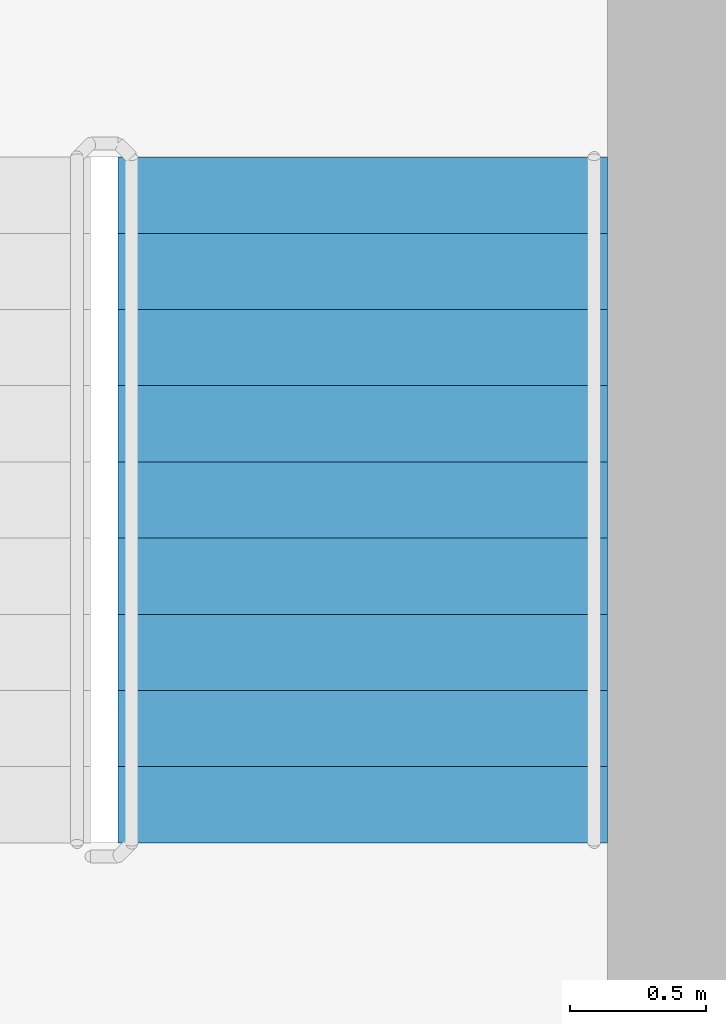
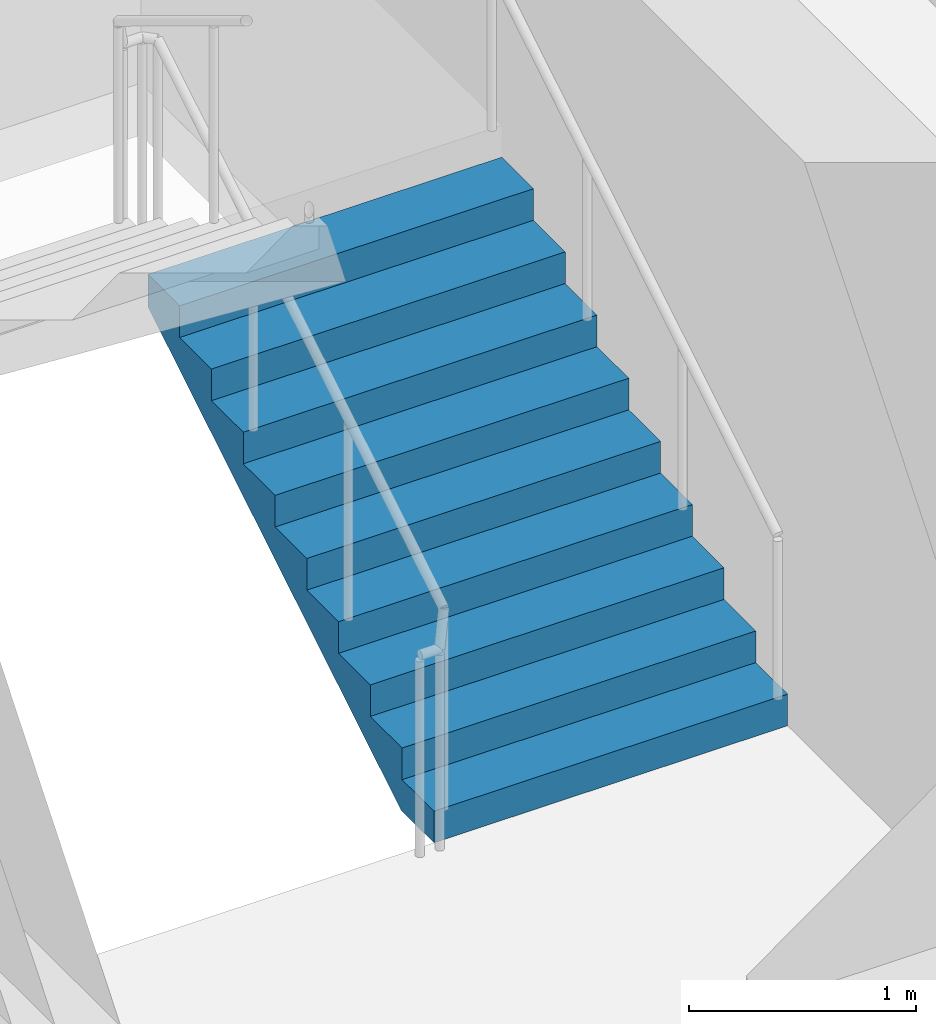
# One storey, part 11 of 17: 1 stair flight, 1 element without a shape of its own.
"""IFC4 building model written with IfcOpenShell, lengths in metres."""

from ifc_helpers import new_model, si_unit, direction, frame, origin, place, context, subcontext, project, spatial, triangles, source, transform, mapped, material, type_object, element, aggregate, save


model = new_model("IFC4")

# Units and contexts
model_context = context("Model", 3, precision=1e-05, world=origin(), true_north=direction((0.0, 1.0)))
body_context = subcontext(model_context, "Body", "Model", "MODEL_VIEW")
ifc_project = project(units=[si_unit("LENGTHUNIT", "METRE"), si_unit("AREAUNIT", "SQUARE_METRE"), si_unit("VOLUMEUNIT", "CUBIC_METRE"), si_unit("PLANEANGLEUNIT", "RADIAN"), si_unit("MASSUNIT", "GRAM", prefix="KILO")], contexts=[model_context])

# Site, building, storey
site_placement = place(None, origin())
site = spatial("IfcSite", under=ifc_project, at=site_placement, CompositionType="ELEMENT")
building_placement = place(site_placement, origin())
building = spatial("IfcBuilding", under=site, at=building_placement, Name="Kilnfold Tower and Market Hall", CompositionType="ELEMENT")
storey_placement = place(building_placement, frame((0.0, 0.0, 273.800048828125)))
storey = spatial("IfcBuildingStorey", under=building, at=storey_placement, Name="L67", CompositionType="ELEMENT", Elevation=273.800048828125)

# Stair, stair flight
ifc_material_1 = material(Name="Concrete C40/50", Category="concrete")
stair_type = type_object("IfcStairType", Name="CORE STAIR 1800", PredefinedType="HALF_TURN_STAIR", material=ifc_material_1)
stair_placement = place(storey_placement, origin())
stair = element("IfcStair", 1, at=stair_placement, inside=storey, type_object=stair_type, Name="L67 ST2", PredefinedType="HALF_TURN_STAIR")
ifc_material_2 = material(Name="Concrete C40/50", Category="concrete")
stair_flight_type = type_object("IfcStairFlightType", Name="CORE STAIR FLIGHT 1800", PredefinedType="STRAIGHT", material=ifc_material_2)
shared_shape = source(origin(), body_context, "Body", "Tessellation", [
    triangles([(0.0, 0.89990234375, 0.0), (0.0, 0.78759765625, 0.0), (0.0, 0.675048828125, 0.0), (0.0, 0.5625, 0.0), (0.0, 0.449951171875, 0.0), (0.0, 0.33740234375, 0.0), (0.0, 0.22509765625, 0.0), (0.0, 0.112548828125, 0.0), (0.0, 0.0, 0.0), (0.0, -0.112548828125, 0.0), (0.0, -0.22509765625, 0.0), (0.0, -0.33740234375, 0.0), (0.0, -0.449951171875, 0.0), (0.0, -0.5625, 0.0), (0.0, -0.675048828125, 0.0), (0.0, -0.78759765625, 0.0), (0.0, -0.89990234375, 0.0), (0.0, 0.89990234375, 0.169921875), (0.0, 0.78759765625, 0.169921875), (0.0, 0.675048828125, 0.169921875), (0.0, 0.5625, 0.169921875), (0.0, 0.449951171875, 0.169921875), (0.0, 0.33740234375, 0.169921875), (0.0, 0.22509765625, 0.169921875), (0.0, 0.112548828125, 0.169921875), (0.0, 0.0, 0.169921875), (0.0, -0.112548828125, 0.169921875), (0.0, -0.22509765625, 0.169921875), (0.0, -0.33740234375, 0.169921875), (0.0, -0.449951171875, 0.169921875), (0.0, -0.5625, 0.169921875), (0.0, -0.675048828125, 0.169921875), (0.0, -0.78759765625, 0.169921875), (0.0, -0.89990234375, 0.169921875), (0.280029296875, 0.89990234375, 0.169921875), (0.280029296875, 0.78759765625, 0.169921875), (0.280029296875, 0.675048828125, 0.169921875), (0.280029296875, 0.5625, 0.169921875), (0.280029296875, 0.449951171875, 0.169921875), (0.280029296875, 0.33740234375, 0.169921875), (0.280029296875, 0.22509765625, 0.169921875), (0.280029296875, 0.112548828125, 0.169921875), (0.280029296875, 0.0, 0.169921875), (0.280029296875, -0.112548828125, 0.169921875), (0.280029296875, -0.22509765625, 0.169921875), (0.280029296875, -0.33740234375, 0.169921875), (0.280029296875, -0.449951171875, 0.169921875), (0.280029296875, -0.5625, 0.169921875), (0.280029296875, -0.675048828125, 0.169921875), (0.280029296875, -0.78759765625, 0.169921875), (0.280029296875, -0.89990234375, 0.169921875), (0.280029296875, 0.89990234375, 0.340087890625), (0.280029296875, 0.78759765625, 0.340087890625), (0.280029296875, 0.675048828125, 0.340087890625), (0.280029296875, 0.5625, 0.340087890625), (0.280029296875, 0.449951171875, 0.340087890625), (0.280029296875, 0.33740234375, 0.340087890625), (0.280029296875, 0.22509765625, 0.340087890625), (0.280029296875, 0.112548828125, 0.340087890625), (0.280029296875, 0.0, 0.340087890625), (0.280029296875, -0.112548828125, 0.340087890625), (0.280029296875, -0.22509765625, 0.340087890625), (0.280029296875, -0.33740234375, 0.340087890625), (0.280029296875, -0.449951171875, 0.340087890625), (0.280029296875, -0.5625, 0.340087890625), (0.280029296875, -0.675048828125, 0.340087890625), (0.280029296875, -0.78759765625, 0.340087890625), (0.280029296875, -0.89990234375, 0.340087890625), (0.56005859375, 0.89990234375, 0.340087890625), (0.56005859375, 0.78759765625, 0.340087890625), (0.56005859375, 0.675048828125, 0.340087890625), (0.56005859375, 0.5625, 0.340087890625), (0.56005859375, 0.449951171875, 0.340087890625), (0.56005859375, 0.33740234375, 0.340087890625), (0.56005859375, 0.22509765625, 0.340087890625), (0.56005859375, 0.112548828125, 0.340087890625), (0.56005859375, 0.0, 0.340087890625), (0.56005859375, -0.112548828125, 0.340087890625), (0.56005859375, -0.22509765625, 0.340087890625), (0.56005859375, -0.33740234375, 0.340087890625), (0.56005859375, -0.449951171875, 0.340087890625), (0.56005859375, -0.5625, 0.340087890625), (0.56005859375, -0.675048828125, 0.340087890625), (0.56005859375, -0.78759765625, 0.340087890625), (0.56005859375, -0.89990234375, 0.340087890625), (0.56005859375, 0.89990234375, 0.510009765625), (0.56005859375, 0.78759765625, 0.510009765625), (0.56005859375, 0.675048828125, 0.510009765625), (0.56005859375, 0.5625, 0.510009765625), (0.56005859375, 0.449951171875, 0.510009765625), (0.56005859375, 0.33740234375, 0.510009765625), (0.56005859375, 0.22509765625, 0.510009765625), (0.56005859375, 0.112548828125, 0.510009765625), (0.56005859375, 0.0, 0.510009765625), (0.56005859375, -0.112548828125, 0.510009765625), (0.56005859375, -0.22509765625, 0.510009765625), (0.56005859375, -0.33740234375, 0.510009765625), (0.56005859375, -0.449951171875, 0.510009765625), (0.56005859375, -0.5625, 0.510009765625), (0.56005859375, -0.675048828125, 0.510009765625), (0.56005859375, -0.78759765625, 0.510009765625), (0.56005859375, -0.89990234375, 0.510009765625), (0.840087890625, 0.89990234375, 0.510009765625), (0.840087890625, 0.78759765625, 0.510009765625), (0.840087890625, 0.675048828125, 0.510009765625), (0.840087890625, 0.5625, 0.510009765625), (0.840087890625, 0.449951171875, 0.510009765625), (0.840087890625, 0.33740234375, 0.510009765625), (0.840087890625, 0.22509765625, 0.510009765625), (0.840087890625, 0.112548828125, 0.510009765625), (0.840087890625, 0.0, 0.510009765625), (0.840087890625, -0.112548828125, 0.510009765625), (0.840087890625, -0.22509765625, 0.510009765625), (0.840087890625, -0.33740234375, 0.510009765625), (0.840087890625, -0.449951171875, 0.510009765625), (0.840087890625, -0.5625, 0.510009765625), (0.840087890625, -0.675048828125, 0.510009765625), (0.840087890625, -0.78759765625, 0.510009765625), (0.840087890625, -0.89990234375, 0.510009765625), (0.840087890625, 0.89990234375, 0.679931640625), (0.840087890625, 0.78759765625, 0.679931640625), (0.840087890625, 0.675048828125, 0.679931640625), (0.840087890625, 0.5625, 0.679931640625), (0.840087890625, 0.449951171875, 0.679931640625), (0.840087890625, 0.33740234375, 0.679931640625), (0.840087890625, 0.22509765625, 0.679931640625), (0.840087890625, 0.112548828125, 0.679931640625), (0.840087890625, 0.0, 0.679931640625), (0.840087890625, -0.112548828125, 0.679931640625), (0.840087890625, -0.22509765625, 0.679931640625), (0.840087890625, -0.33740234375, 0.679931640625), (0.840087890625, -0.449951171875, 0.679931640625), (0.840087890625, -0.5625, 0.679931640625), (0.840087890625, -0.675048828125, 0.679931640625), (0.840087890625, -0.78759765625, 0.679931640625), (0.840087890625, -0.89990234375, 0.679931640625), (1.1201171875, 0.89990234375, 0.679931640625), (1.1201171875, 0.78759765625, 0.679931640625), (1.1201171875, 0.675048828125, 0.679931640625), (1.1201171875, 0.5625, 0.679931640625), (1.1201171875, 0.449951171875, 0.679931640625), (1.1201171875, 0.33740234375, 0.679931640625), (1.1201171875, 0.22509765625, 0.679931640625), (1.1201171875, 0.112548828125, 0.679931640625), (1.1201171875, 0.0, 0.679931640625), (1.1201171875, -0.112548828125, 0.679931640625), (1.1201171875, -0.22509765625, 0.679931640625), (1.1201171875, -0.33740234375, 0.679931640625), (1.1201171875, -0.449951171875, 0.679931640625), (1.1201171875, -0.5625, 0.679931640625), (1.1201171875, -0.675048828125, 0.679931640625), (1.1201171875, -0.78759765625, 0.679931640625), (1.1201171875, -0.89990234375, 0.679931640625), (1.1201171875, 0.89990234375, 0.85009765625), (1.1201171875, 0.78759765625, 0.85009765625), (1.1201171875, 0.675048828125, 0.85009765625), (1.1201171875, 0.5625, 0.85009765625), (1.1201171875, 0.449951171875, 0.85009765625), (1.1201171875, 0.33740234375, 0.85009765625), (1.1201171875, 0.22509765625, 0.85009765625), (1.1201171875, 0.112548828125, 0.85009765625), (1.1201171875, 0.0, 0.85009765625), (1.1201171875, -0.112548828125, 0.85009765625), (1.1201171875, -0.22509765625, 0.85009765625), (1.1201171875, -0.33740234375, 0.85009765625), (1.1201171875, -0.449951171875, 0.85009765625), (1.1201171875, -0.5625, 0.85009765625), (1.1201171875, -0.675048828125, 0.85009765625), (1.1201171875, -0.78759765625, 0.85009765625), (1.1201171875, -0.89990234375, 0.85009765625), (1.39990234375, 0.89990234375, 0.85009765625), (1.39990234375, 0.78759765625, 0.85009765625), (1.39990234375, 0.675048828125, 0.85009765625), (1.39990234375, 0.5625, 0.85009765625), (1.39990234375, 0.449951171875, 0.85009765625), (1.39990234375, 0.33740234375, 0.85009765625), (1.39990234375, 0.22509765625, 0.85009765625), (1.39990234375, 0.112548828125, 0.85009765625), (1.39990234375, 0.0, 0.85009765625), (1.39990234375, -0.112548828125, 0.85009765625), (1.39990234375, -0.22509765625, 0.85009765625), (1.39990234375, -0.33740234375, 0.85009765625), (1.39990234375, -0.449951171875, 0.85009765625), (1.39990234375, -0.5625, 0.85009765625), (1.39990234375, -0.675048828125, 0.85009765625), (1.39990234375, -0.78759765625, 0.85009765625), (1.39990234375, -0.89990234375, 0.85009765625), (1.39990234375, 0.89990234375, 1.02001953125), (1.39990234375, 0.78759765625, 1.02001953125), (1.39990234375, 0.675048828125, 1.02001953125), (1.39990234375, 0.5625, 1.02001953125), (1.39990234375, 0.449951171875, 1.02001953125), (1.39990234375, 0.33740234375, 1.02001953125), (1.39990234375, 0.22509765625, 1.02001953125), (1.39990234375, 0.112548828125, 1.02001953125), (1.39990234375, 0.0, 1.02001953125), (1.39990234375, -0.112548828125, 1.02001953125), (1.39990234375, -0.22509765625, 1.02001953125), (1.39990234375, -0.33740234375, 1.02001953125), (1.39990234375, -0.449951171875, 1.02001953125), (1.39990234375, -0.5625, 1.02001953125), (1.39990234375, -0.675048828125, 1.02001953125), (1.39990234375, -0.78759765625, 1.02001953125), (1.39990234375, -0.89990234375, 1.02001953125), (1.679931640625, 0.89990234375, 1.02001953125), (1.679931640625, 0.78759765625, 1.02001953125), (1.679931640625, 0.675048828125, 1.02001953125), (1.679931640625, 0.5625, 1.02001953125), (1.679931640625, 0.449951171875, 1.02001953125), (1.679931640625, 0.33740234375, 1.02001953125), (1.679931640625, 0.22509765625, 1.02001953125), (1.679931640625, 0.112548828125, 1.02001953125), (1.679931640625, 0.0, 1.02001953125), (1.679931640625, -0.112548828125, 1.02001953125), (1.679931640625, -0.22509765625, 1.02001953125), (1.679931640625, -0.33740234375, 1.02001953125), (1.679931640625, -0.449951171875, 1.02001953125), (1.679931640625, -0.5625, 1.02001953125), (1.679931640625, -0.675048828125, 1.02001953125), (1.679931640625, -0.78759765625, 1.02001953125), (1.679931640625, -0.89990234375, 1.02001953125), (1.679931640625, 0.89990234375, 1.18994140625), (1.679931640625, 0.78759765625, 1.18994140625), (1.679931640625, 0.675048828125, 1.18994140625), (1.679931640625, 0.5625, 1.18994140625), (1.679931640625, 0.449951171875, 1.18994140625), (1.679931640625, 0.33740234375, 1.18994140625), (1.679931640625, 0.22509765625, 1.18994140625), (1.679931640625, 0.112548828125, 1.18994140625), (1.679931640625, 0.0, 1.18994140625), (1.679931640625, -0.112548828125, 1.18994140625), (1.679931640625, -0.22509765625, 1.18994140625), (1.679931640625, -0.33740234375, 1.18994140625), (1.679931640625, -0.449951171875, 1.18994140625), (1.679931640625, -0.5625, 1.18994140625), (1.679931640625, -0.675048828125, 1.18994140625), (1.679931640625, -0.78759765625, 1.18994140625), (1.679931640625, -0.89990234375, 1.18994140625), (1.9599609375, 0.89990234375, 1.18994140625), (1.9599609375, 0.78759765625, 1.18994140625), (1.9599609375, 0.675048828125, 1.18994140625), (1.9599609375, 0.5625, 1.18994140625), (1.9599609375, 0.449951171875, 1.18994140625), (1.9599609375, 0.33740234375, 1.18994140625), (1.9599609375, 0.22509765625, 1.18994140625), (1.9599609375, 0.112548828125, 1.18994140625), (1.9599609375, 0.0, 1.18994140625), (1.9599609375, -0.112548828125, 1.18994140625), (1.9599609375, -0.22509765625, 1.18994140625), (1.9599609375, -0.33740234375, 1.18994140625), (1.9599609375, -0.449951171875, 1.18994140625), (1.9599609375, -0.5625, 1.18994140625), (1.9599609375, -0.675048828125, 1.18994140625), (1.9599609375, -0.78759765625, 1.18994140625), (1.9599609375, -0.89990234375, 1.18994140625), (1.9599609375, 0.89990234375, 1.360107421875), (1.9599609375, 0.78759765625, 1.360107421875), (1.9599609375, 0.675048828125, 1.360107421875), (1.9599609375, 0.5625, 1.360107421875), (1.9599609375, 0.449951171875, 1.360107421875), (1.9599609375, 0.33740234375, 1.360107421875), (1.9599609375, 0.22509765625, 1.360107421875), (1.9599609375, 0.112548828125, 1.360107421875), (1.9599609375, 0.0, 1.360107421875), (1.9599609375, -0.112548828125, 1.360107421875), (1.9599609375, -0.22509765625, 1.360107421875), (1.9599609375, -0.33740234375, 1.360107421875), (1.9599609375, -0.449951171875, 1.360107421875), (1.9599609375, -0.5625, 1.360107421875), (1.9599609375, -0.675048828125, 1.360107421875), (1.9599609375, -0.78759765625, 1.360107421875), (1.9599609375, -0.89990234375, 1.360107421875), (2.239990234375, 0.89990234375, 1.360107421875), (2.239990234375, 0.78759765625, 1.360107421875), (2.239990234375, 0.675048828125, 1.360107421875), (2.239990234375, 0.5625, 1.360107421875), (2.239990234375, 0.449951171875, 1.360107421875), (2.239990234375, 0.33740234375, 1.360107421875), (2.239990234375, 0.22509765625, 1.360107421875), (2.239990234375, 0.112548828125, 1.360107421875), (2.239990234375, 0.0, 1.360107421875), (2.239990234375, -0.112548828125, 1.360107421875), (2.239990234375, -0.22509765625, 1.360107421875), (2.239990234375, -0.33740234375, 1.360107421875), (2.239990234375, -0.449951171875, 1.360107421875), (2.239990234375, -0.5625, 1.360107421875), (2.239990234375, -0.675048828125, 1.360107421875), (2.239990234375, -0.78759765625, 1.360107421875), (2.239990234375, -0.89990234375, 1.360107421875), (2.239990234375, 0.89990234375, 1.530029296875), (2.239990234375, 0.78759765625, 1.530029296875), (2.239990234375, 0.675048828125, 1.530029296875), (2.239990234375, 0.5625, 1.530029296875), (2.239990234375, 0.449951171875, 1.530029296875), (2.239990234375, 0.33740234375, 1.530029296875), (2.239990234375, 0.22509765625, 1.530029296875), (2.239990234375, 0.112548828125, 1.530029296875), (2.239990234375, 0.0, 1.530029296875), (2.239990234375, -0.112548828125, 1.530029296875), (2.239990234375, -0.22509765625, 1.530029296875), (2.239990234375, -0.33740234375, 1.530029296875), (2.239990234375, -0.449951171875, 1.530029296875), (2.239990234375, -0.5625, 1.530029296875), (2.239990234375, -0.675048828125, 1.530029296875), (2.239990234375, -0.78759765625, 1.530029296875), (2.239990234375, -0.89990234375, 1.530029296875), (2.52001953125, 0.89990234375, 1.530029296875), (2.52001953125, 0.78759765625, 1.530029296875), (2.52001953125, 0.675048828125, 1.530029296875), (2.52001953125, 0.5625, 1.530029296875), (2.52001953125, 0.449951171875, 1.530029296875), (2.52001953125, 0.33740234375, 1.530029296875), (2.52001953125, 0.22509765625, 1.530029296875), (2.52001953125, 0.112548828125, 1.530029296875), (2.52001953125, 0.0, 1.530029296875), (2.52001953125, -0.112548828125, 1.530029296875), (2.52001953125, -0.22509765625, 1.530029296875), (2.52001953125, -0.33740234375, 1.530029296875), (2.52001953125, -0.449951171875, 1.530029296875), (2.52001953125, -0.5625, 1.530029296875), (2.52001953125, -0.675048828125, 1.530029296875), (2.52001953125, -0.78759765625, 1.530029296875), (2.52001953125, -0.89990234375, 1.530029296875), (2.52001953125, 0.89990234375, 1.354736328125), (2.52001953125, 0.78759765625, 1.354736328125), (2.52001953125, 0.675048828125, 1.354736328125), (2.52001953125, 0.5625, 1.354736328125), (2.52001953125, 0.449951171875, 1.354736328125), (2.52001953125, 0.33740234375, 1.354736328125), (2.52001953125, 0.22509765625, 1.354736328125), (2.52001953125, 0.112548828125, 1.354736328125), (2.52001953125, 0.0, 1.354736328125), (2.52001953125, -0.112548828125, 1.354736328125), (2.52001953125, -0.22509765625, 1.354736328125), (2.52001953125, -0.33740234375, 1.354736328125), (2.52001953125, -0.449951171875, 1.354736328125), (2.52001953125, -0.5625, 1.354736328125), (2.52001953125, -0.675048828125, 1.354736328125), (2.52001953125, -0.78759765625, 1.354736328125), (2.52001953125, -0.89990234375, 1.354736328125), (0.288818359375, 0.89990234375, 0.0), (0.288818359375, 0.78759765625, 0.0), (0.288818359375, 0.675048828125, 0.0), (0.288818359375, 0.5625, 0.0), (0.288818359375, 0.449951171875, 0.0), (0.288818359375, 0.33740234375, 0.0), (0.288818359375, 0.22509765625, 0.0), (0.288818359375, 0.112548828125, 0.0), (0.288818359375, 0.0, 0.0), (0.288818359375, -0.112548828125, 0.0), (0.288818359375, -0.22509765625, 0.0), (0.288818359375, -0.33740234375, 0.0), (0.288818359375, -0.449951171875, 0.0), (0.288818359375, -0.5625, 0.0), (0.288818359375, -0.675048828125, 0.0), (0.288818359375, -0.78759765625, 0.0), (0.288818359375, -0.89990234375, 0.0)], [[1, 324, 341], [17, 357, 340], [324, 290, 307], [340, 323, 306], [324, 273, 290], [340, 306, 289], [324, 256, 273], [340, 289, 272], [324, 239, 256], [340, 272, 255], [239, 205, 222], [255, 238, 221], [324, 205, 239], [340, 255, 221], [205, 171, 188], [221, 204, 187], [324, 171, 205], [340, 221, 187], [171, 137, 154], [187, 170, 153], [324, 137, 171], [340, 187, 153], [137, 103, 120], [153, 136, 119], [324, 103, 137], [340, 153, 119], [103, 69, 86], [119, 102, 85], [324, 69, 103], [340, 119, 85], [69, 35, 52], [85, 68, 51], [324, 35, 69], [340, 85, 51], [1, 35, 324], [17, 340, 51], [35, 1, 18], [51, 34, 17], [1, 19, 18], [1, 2, 19], [2, 20, 19], [2, 3, 20], [3, 21, 20], [3, 4, 21], [4, 22, 21], [4, 5, 22], [5, 23, 22], [5, 6, 23], [6, 24, 23], [6, 7, 24], [7, 25, 24], [7, 8, 25], [8, 26, 25], [8, 9, 26], [9, 27, 26], [9, 10, 27], [10, 28, 27], [10, 11, 28], [11, 29, 28], [11, 12, 29], [12, 30, 29], [12, 13, 30], [13, 31, 30], [13, 14, 31], [14, 32, 31], [14, 15, 32], [15, 33, 32], [15, 16, 33], [16, 34, 33], [16, 17, 34], [18, 36, 35], [18, 19, 36], [19, 37, 36], [19, 20, 37], [20, 38, 37], [20, 21, 38], [21, 39, 38], [21, 22, 39], [22, 40, 39], [22, 23, 40], [23, 41, 40], [23, 24, 41], [24, 42, 41], [24, 25, 42], [25, 43, 42], [25, 26, 43], [26, 44, 43], [26, 27, 44], [27, 45, 44], [27, 28, 45], [28, 46, 45], [28, 29, 46], [29, 47, 46], [29, 30, 47], [30, 48, 47], [30, 31, 48], [31, 49, 48], [31, 32, 49], [32, 50, 49], [32, 33, 50], [33, 51, 50], [33, 34, 51], [35, 53, 52], [35, 36, 53], [36, 54, 53], [36, 37, 54], [37, 55, 54], [37, 38, 55], [38, 56, 55], [38, 39, 56], [39, 57, 56], [39, 40, 57], [40, 58, 57], [40, 41, 58], [41, 59, 58], [41, 42, 59], [42, 60, 59], [42, 43, 60], [43, 61, 60], [43, 44, 61], [44, 62, 61], [44, 45, 62], [45, 63, 62], [45, 46, 63], [46, 64, 63], [46, 47, 64], [47, 65, 64], [47, 48, 65], [48, 66, 65], [48, 49, 66], [49, 67, 66], [49, 50, 67], [50, 68, 67], [50, 51, 68], [52, 70, 69], [52, 53, 70], [53, 71, 70], [53, 54, 71], [54, 72, 71], [54, 55, 72], [55, 73, 72], [55, 56, 73], [56, 74, 73], [56, 57, 74], [57, 75, 74], [57, 58, 75], [58, 76, 75], [58, 59, 76], [59, 77, 76], [59, 60, 77], [60, 78, 77], [60, 61, 78], [61, 79, 78], [61, 62, 79], [62, 80, 79], [62, 63, 80], [63, 81, 80], [63, 64, 81], [64, 82, 81], [64, 65, 82], [65, 83, 82], [65, 66, 83], [66, 84, 83], [66, 67, 84], [67, 85, 84], [67, 68, 85], [69, 87, 86], [69, 70, 87], [70, 88, 87], [70, 71, 88], [71, 89, 88], [71, 72, 89], [72, 90, 89], [72, 73, 90], [73, 91, 90], [73, 74, 91], [74, 92, 91], [74, 75, 92], [75, 93, 92], [75, 76, 93], [76, 94, 93], [76, 77, 94], [77, 95, 94], [77, 78, 95], [78, 96, 95], [78, 79, 96], [79, 97, 96], [79, 80, 97], [80, 98, 97], [80, 81, 98], [81, 99, 98], [81, 82, 99], [82, 100, 99], [82, 83, 100], [83, 101, 100], [83, 84, 101], [84, 102, 101], [84, 85, 102], [86, 104, 103], [86, 87, 104], [87, 105, 104], [87, 88, 105], [88, 106, 105], [88, 89, 106], [89, 107, 106], [89, 90, 107], [90, 108, 107], [90, 91, 108], [91, 109, 108], [91, 92, 109], [92, 110, 109], [92, 93, 110], [93, 111, 110], [93, 94, 111], [94, 112, 111], [94, 95, 112], [95, 113, 112], [95, 96, 113], [96, 114, 113], [96, 97, 114], [97, 115, 114], [97, 98, 115], [98, 116, 115], [98, 99, 116], [99, 117, 116], [99, 100, 117], [100, 118, 117], [100, 101, 118], [101, 119, 118], [101, 102, 119], [103, 121, 120], [103, 104, 121], [104, 122, 121], [104, 105, 122], [105, 123, 122], [105, 106, 123], [106, 124, 123], [106, 107, 124], [107, 125, 124], [107, 108, 125], [108, 126, 125], [108, 109, 126], [109, 127, 126], [109, 110, 127], [110, 128, 127], [110, 111, 128], [111, 129, 128], [111, 112, 129], [112, 130, 129], [112, 113, 130], [113, 131, 130], [113, 114, 131], [114, 132, 131], [114, 115, 132], [115, 133, 132], [115, 116, 133], [116, 134, 133], [116, 117, 134], [117, 135, 134], [117, 118, 135], [118, 136, 135], [118, 119, 136], [120, 138, 137], [120, 121, 138], [121, 139, 138], [121, 122, 139], [122, 140, 139], [122, 123, 140], [123, 141, 140], [123, 124, 141], [124, 142, 141], [124, 125, 142], [125, 143, 142], [125, 126, 143], [126, 144, 143], [126, 127, 144], [127, 145, 144], [127, 128, 145], [128, 146, 145], [128, 129, 146], [129, 147, 146], [129, 130, 147], [130, 148, 147], [130, 131, 148], [131, 149, 148], [131, 132, 149], [132, 150, 149], [132, 133, 150], [133, 151, 150], [133, 134, 151], [134, 152, 151], [134, 135, 152], [135, 153, 152], [135, 136, 153], [137, 155, 154], [137, 138, 155], [138, 156, 155], [138, 139, 156], [139, 157, 156], [139, 140, 157], [140, 158, 157], [140, 141, 158], [141, 159, 158], [141, 142, 159], [142, 160, 159], [142, 143, 160], [143, 161, 160], [143, 144, 161], [144, 162, 161], [144, 145, 162], [145, 163, 162], [145, 146, 163], [146, 164, 163], [146, 147, 164], [147, 165, 164], [147, 148, 165], [148, 166, 165], [148, 149, 166], [149, 167, 166], [149, 150, 167], [150, 168, 167], [150, 151, 168], [151, 169, 168], [151, 152, 169], [152, 170, 169], [152, 153, 170], [154, 172, 171], [154, 155, 172], [155, 173, 172], [155, 156, 173], [156, 174, 173], [156, 157, 174], [157, 175, 174], [157, 158, 175], [158, 176, 175], [158, 159, 176], [159, 177, 176], [159, 160, 177], [160, 178, 177], [160, 161, 178], [161, 179, 178], [161, 162, 179], [162, 180, 179], [162, 163, 180], [163, 181, 180], [163, 164, 181], [164, 182, 181], [164, 165, 182], [165, 183, 182], [165, 166, 183], [166, 184, 183], [166, 167, 184], [167, 185, 184], [167, 168, 185], [168, 186, 185], [168, 169, 186], [169, 187, 186], [169, 170, 187], [171, 189, 188], [171, 172, 189], [172, 190, 189], [172, 173, 190], [173, 191, 190], [173, 174, 191], [174, 192, 191], [174, 175, 192], [175, 193, 192], [175, 176, 193], [176, 194, 193], [176, 177, 194], [177, 195, 194], [177, 178, 195], [178, 196, 195], [178, 179, 196], [179, 197, 196], [179, 180, 197], [180, 198, 197], [180, 181, 198], [181, 199, 198], [181, 182, 199], [182, 200, 199], [182, 183, 200], [183, 201, 200], [183, 184, 201], [184, 202, 201], [184, 185, 202], [185, 203, 202], [185, 186, 203], [186, 204, 203], [186, 187, 204], [188, 206, 205], [188, 189, 206], [189, 207, 206], [189, 190, 207], [190, 208, 207], [190, 191, 208], [191, 209, 208], [191, 192, 209], [192, 210, 209], [192, 193, 210], [193, 211, 210], [193, 194, 211], [194, 212, 211], [194, 195, 212], [195, 213, 212], [195, 196, 213], [196, 214, 213], [196, 197, 214], [197, 215, 214], [197, 198, 215], [198, 216, 215], [198, 199, 216], [199, 217, 216], [199, 200, 217], [200, 218, 217], [200, 201, 218], [201, 219, 218], [201, 202, 219], [202, 220, 219], [202, 203, 220], [203, 221, 220], [203, 204, 221], [205, 223, 222], [205, 206, 223], [206, 224, 223], [206, 207, 224], [207, 225, 224], [207, 208, 225], [208, 226, 225], [208, 209, 226], [209, 227, 226], [209, 210, 227], [210, 228, 227], [210, 211, 228], [211, 229, 228], [211, 212, 229], [212, 230, 229], [212, 213, 230], [213, 231, 230], [213, 214, 231], [214, 232, 231], [214, 215, 232], [215, 233, 232], [215, 216, 233], [216, 234, 233], [216, 217, 234], [217, 235, 234], [217, 218, 235], [218, 236, 235], [218, 219, 236], [219, 237, 236], [219, 220, 237], [220, 238, 237], [220, 221, 238], [222, 240, 239], [222, 223, 240], [223, 241, 240], [223, 224, 241], [224, 242, 241], [224, 225, 242], [225, 243, 242], [225, 226, 243], [226, 244, 243], [226, 227, 244], [227, 245, 244], [227, 228, 245], [228, 246, 245], [228, 229, 246], [229, 247, 246], [229, 230, 247], [230, 248, 247], [230, 231, 248], [231, 249, 248], [231, 232, 249], [232, 250, 249], [232, 233, 250], [233, 251, 250], [233, 234, 251], [234, 252, 251], [234, 235, 252], [235, 253, 252], [235, 236, 253], [236, 254, 253], [236, 237, 254], [237, 255, 254], [237, 238, 255], [239, 257, 256], [239, 240, 257], [240, 258, 257], [240, 241, 258], [241, 259, 258], [241, 242, 259], [242, 260, 259], [242, 243, 260], [243, 261, 260], [243, 244, 261], [244, 262, 261], [244, 245, 262], [245, 263, 262], [245, 246, 263], [246, 264, 263], [246, 247, 264], [247, 265, 264], [247, 248, 265], [248, 266, 265], [248, 249, 266], [249, 267, 266], [249, 250, 267], [250, 268, 267], [250, 251, 268], [251, 269, 268], [251, 252, 269], [252, 270, 269], [252, 253, 270], [253, 271, 270], [253, 254, 271], [254, 272, 271], [254, 255, 272], [256, 274, 273], [256, 257, 274], [257, 275, 274], [257, 258, 275], [258, 276, 275], [258, 259, 276], [259, 277, 276], [259, 260, 277], [260, 278, 277], [260, 261, 278], [261, 279, 278], [261, 262, 279], [262, 280, 279], [262, 263, 280], [263, 281, 280], [263, 264, 281], [264, 282, 281], [264, 265, 282], [265, 283, 282], [265, 266, 283], [266, 284, 283], [266, 267, 284], [267, 285, 284], [267, 268, 285], [268, 286, 285], [268, 269, 286], [269, 287, 286], [269, 270, 287], [270, 288, 287], [270, 271, 288], [271, 289, 288], [271, 272, 289], [273, 291, 290], [273, 274, 291], [274, 292, 291], [274, 275, 292], [275, 293, 292], [275, 276, 293], [276, 294, 293], [276, 277, 294], [277, 295, 294], [277, 278, 295], [278, 296, 295], [278, 279, 296], [279, 297, 296], [279, 280, 297], [280, 298, 297], [280, 281, 298], [281, 299, 298], [281, 282, 299], [282, 300, 299], [282, 283, 300], [283, 301, 300], [283, 284, 301], [284, 302, 301], [284, 285, 302], [285, 303, 302], [285, 286, 303], [286, 304, 303], [286, 287, 304], [287, 305, 304], [287, 288, 305], [288, 306, 305], [288, 289, 306], [290, 308, 307], [290, 291, 308], [291, 309, 308], [291, 292, 309], [292, 310, 309], [292, 293, 310], [293, 311, 310], [293, 294, 311], [294, 312, 311], [294, 295, 312], [295, 313, 312], [295, 296, 313], [296, 314, 313], [296, 297, 314], [297, 315, 314], [297, 298, 315], [298, 316, 315], [298, 299, 316], [299, 317, 316], [299, 300, 317], [300, 318, 317], [300, 301, 318], [301, 319, 318], [301, 302, 319], [302, 320, 319], [302, 303, 320], [303, 321, 320], [303, 304, 321], [304, 322, 321], [304, 305, 322], [305, 323, 322], [305, 306, 323], [307, 325, 324], [307, 308, 325], [308, 326, 325], [308, 309, 326], [309, 327, 326], [309, 310, 327], [310, 328, 327], [310, 311, 328], [311, 329, 328], [311, 312, 329], [312, 330, 329], [312, 313, 330], [313, 331, 330], [313, 314, 331], [314, 332, 331], [314, 315, 332], [315, 333, 332], [315, 316, 333], [316, 334, 333], [316, 317, 334], [317, 335, 334], [317, 318, 335], [318, 336, 335], [318, 319, 336], [319, 337, 336], [319, 320, 337], [320, 338, 337], [320, 321, 338], [321, 339, 338], [321, 322, 339], [322, 340, 339], [322, 323, 340], [324, 342, 341], [324, 325, 342], [325, 343, 342], [325, 326, 343], [326, 344, 343], [326, 327, 344], [327, 345, 344], [327, 328, 345], [328, 346, 345], [328, 329, 346], [329, 347, 346], [329, 330, 347], [330, 348, 347], [330, 331, 348], [331, 349, 348], [331, 332, 349], [332, 350, 349], [332, 333, 350], [333, 351, 350], [333, 334, 351], [334, 352, 351], [334, 335, 352], [335, 353, 352], [335, 336, 353], [336, 354, 353], [336, 337, 354], [337, 355, 354], [337, 338, 355], [338, 356, 355], [338, 339, 356], [339, 357, 356], [339, 340, 357], [341, 2, 1], [341, 342, 2], [342, 3, 2], [342, 343, 3], [343, 4, 3], [343, 344, 4], [344, 5, 4], [344, 345, 5], [345, 6, 5], [345, 346, 6], [346, 7, 6], [346, 347, 7], [347, 8, 7], [347, 348, 8], [348, 9, 8], [348, 349, 9], [349, 10, 9], [349, 350, 10], [350, 11, 10], [350, 351, 11], [351, 12, 11], [351, 352, 12], [352, 13, 12], [352, 353, 13], [353, 14, 13], [353, 354, 14], [354, 15, 14], [354, 355, 15], [355, 16, 15], [355, 356, 16], [356, 17, 16], [356, 357, 17]], closed=True),
])
stair_flight_placement = place(storey_placement, frame((16.199951171875, 10.800048828125, 0.0), z_axis=(0.0, 0.0, 1.0), x_axis=(0.0, 1.0, 0.0)))
stair_flight = element("IfcStairFlight", 2, at=stair_flight_placement, type_object=stair_flight_type, Name="ST2 flight 1", NumberOfRisers=10, NumberOfTreads=9, PredefinedType="STRAIGHT", RiserHeight=0.17, TreadLength=0.28, context=body_context, shape_type="MappedRepresentation", body=[
    mapped(shared_shape, transform((0.0, 0.0, 0.0))),
])
aggregate(stair, [stair_flight])

save(model, "model.ifc")
